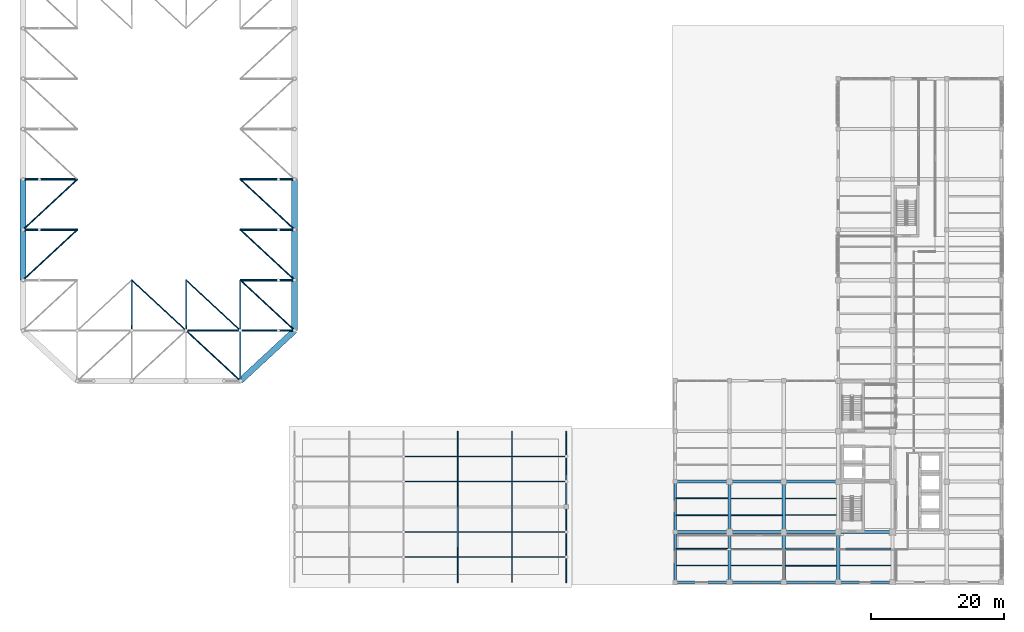
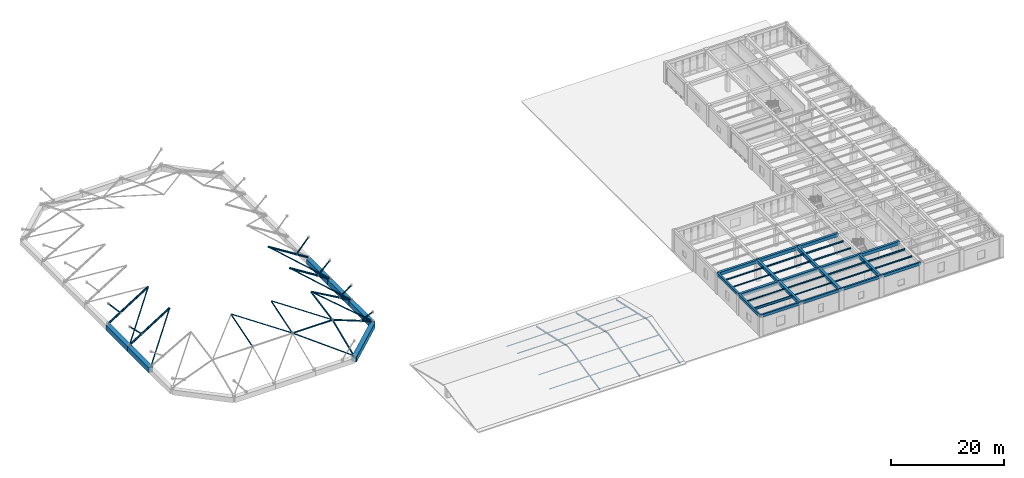
# One storey, part 2 of 23: 38 beams, 35 members.
"""IFC4 building model written with IfcOpenShell, lengths in metres."""

import ifcopenshell
import ifcopenshell.guid

model = None  # the IFC model being written
_history = None  # IfcOwnerHistory: only IFC2X3 demands one
_inside = {}  # id of a spatial element -> (the spatial element, [elements in it])
_under = {}  # id of a project, library or spatial element -> (it, [spatial elements below it])
_declared = {}  # id of a project -> (the project, [libraries it declares])
_typed = {}  # id of a type object -> (the type object, [elements of that type])
_made_of = {}  # id of a material, layer set ... -> (it, [elements and type objects made of it])


def new_model(schema):
    """Start an empty IFC model of exactly this schema.

    Asked for "IFC4X3", IfcOpenShell would pick the latest addendum, in which some entities
    have other attributes; the version numbers below select the first issue.
    IFC2X3 requires an IfcOwnerHistory on every rooted entity: one is made here for all.
    """
    global model, _history
    if schema == "IFC4X3":
        model = ifcopenshell.file(schema_version=(4, 3, 0, 0))
    else:
        model = ifcopenshell.file(schema=schema)
    _inside.clear()
    _under.clear()
    _declared.clear()
    _typed.clear()
    _made_of.clear()
    _history = None
    if model.schema == "IFC2X3":
        org = make("IfcOrganization", Name="unknown")
        user = make(
            "IfcPersonAndOrganization",
            ThePerson=make("IfcPerson", FamilyName="unknown"),
            TheOrganization=org,
        )
        app = make(
            "IfcApplication",
            ApplicationDeveloper=org,
            Version="unknown",
            ApplicationFullName="unknown",
            ApplicationIdentifier="unknown",
        )
        _history = make(
            "IfcOwnerHistory",
            OwningUser=user,
            OwningApplication=app,
            ChangeAction="ADDED",
            CreationDate=0,
        )
    return model


def make(cls, **values):
    """One entity of the class cls with the attributes given. An attribute that is None is left unset."""
    return model.create_entity(
        cls, **{name: value for name, value in values.items() if value is not None}
    )


def rooted(cls, **values):
    """An entity with a GlobalId (a new one), such as an element, a storey or a relation."""
    return make(cls, GlobalId=ifcopenshell.guid.new(), OwnerHistory=_history, **values)


def si_unit(unit_type, name, prefix=None):
    """IfcSIUnit, for example si_unit("LENGTHUNIT", "METRE", prefix="MILLI")."""
    return make("IfcSIUnit", UnitType=unit_type, Prefix=prefix, Name=name)


def assignment(units):
    """IfcUnitAssignment: the units of a project."""
    return None if units is None else make("IfcUnitAssignment", Units=units)


def point(xyz):
    """IfcCartesianPoint."""
    return None if xyz is None else make("IfcCartesianPoint", Coordinates=xyz)


def direction(xyz):
    """IfcDirection."""
    return None if xyz is None else make("IfcDirection", DirectionRatios=xyz)


def frame(location, z_axis=None, x_axis=None):
    """IfcAxis2Placement3D, a coordinate frame: its origin and axes. An axis left out is left unset."""
    return make(
        "IfcAxis2Placement3D",
        Location=point(location),
        Axis=direction(z_axis),
        RefDirection=direction(x_axis),
    )


def frame_2d(location, x_axis=None):
    """IfcAxis2Placement2D, a coordinate frame in the plane: its origin and x axis."""
    return make(
        "IfcAxis2Placement2D", Location=point(location), RefDirection=direction(x_axis)
    )


def origin():
    """The frame at (0, 0, 0) with its axes left unset."""
    return frame((0.0, 0.0, 0.0))


def origin_2d():
    """The frame at (0, 0) in the plane with its x axis left unset."""
    return frame_2d((0.0, 0.0))


def place(relative_to, where):
    """IfcLocalPlacement: puts the frame where relative to a parent placement (None: the world)."""
    return make(
        "IfcLocalPlacement", PlacementRelTo=relative_to, RelativePlacement=where
    )


def context(
    kind, dimensions, precision=None, world=None, true_north=None, identifier=None
):
    """IfcGeometricRepresentationContext, for example the 3D "Model" context."""
    return make(
        "IfcGeometricRepresentationContext",
        ContextIdentifier=identifier,
        ContextType=kind,
        CoordinateSpaceDimension=dimensions,
        Precision=precision,
        WorldCoordinateSystem=world,
        TrueNorth=true_north,
    )


def subcontext(parent, identifier, kind, view, scale=None):
    """IfcGeometricRepresentationSubContext, for example "Body" below "Model"."""
    return make(
        "IfcGeometricRepresentationSubContext",
        ContextIdentifier=identifier,
        ContextType=kind,
        ParentContext=parent,
        TargetScale=scale,
        TargetView=view,
    )


def project(units=None, contexts=None):
    """IfcProject with its units and contexts."""
    return rooted(
        "IfcProject",
        Name="project",
        RepresentationContexts=contexts,
        UnitsInContext=assignment(units),
    )


def spatial(cls, under=None, at=None, **own):
    """A site, building, storey or space (cls), placed at a placement, below another one or the project."""
    s = rooted(cls, ObjectPlacement=at, **own)
    if under is not None:
        _under.setdefault(under.id(), (under, []))[1].append(s)
    return s


def profile(cls, at=None, kind="AREA", **sizes):
    """A parametric profile (cls). Its sizes go by their IFC names, for example OverallWidth=200.0."""
    return make(cls, ProfileType=kind, Position=at, **sizes)


def rectangle(**sizes):
    """IfcRectangleProfileDef."""
    return profile("IfcRectangleProfileDef", **sizes)


def hollow_rectangle(**sizes):
    """IfcRectangleHollowProfileDef."""
    return profile("IfcRectangleHollowProfileDef", **sizes)


def hollow_circle(**sizes):
    """IfcCircleHollowProfileDef."""
    return profile("IfcCircleHollowProfileDef", **sizes)


def i_section(**sizes):
    """IfcIShapeProfileDef."""
    return profile("IfcIShapeProfileDef", **sizes)


def extrude(swept, where, along, depth):
    """IfcExtrudedAreaSolid: the profile swept, set in the frame where, extruded along a direction by depth."""
    return make(
        "IfcExtrudedAreaSolid",
        SweptArea=swept,
        Position=where,
        ExtrudedDirection=direction(along),
        Depth=depth,
    )


def shape(context_of_items, identifier, shape_type, items):
    """IfcShapeRepresentation: the items that make up one representation, for example the "Body"."""
    return make(
        "IfcShapeRepresentation",
        ContextOfItems=context_of_items,
        RepresentationIdentifier=identifier,
        RepresentationType=shape_type,
        Items=items,
    )


def material(Name=None, Category=None):
    """IfcMaterial."""
    return make("IfcMaterial", Name=Name, Category=Category)


def material_profile(
    of_material, cross_section, Name=None, Category=None, Priority=None
):
    """IfcMaterialProfile: a cross section and its material."""
    return make(
        "IfcMaterialProfile",
        Name=Name,
        Material=of_material,
        Profile=cross_section,
        Priority=Priority,
        Category=Category,
    )


def profile_set(profiles, Name=None, composite=None):
    """IfcMaterialProfileSet."""
    return make(
        "IfcMaterialProfileSet",
        Name=Name,
        MaterialProfiles=profiles,
        CompositeProfile=composite,
    )


def made_of(thing, what):
    """Note that an element or type object is made of a material, layer set ...; save() writes the relation."""
    if what is not None:
        _made_of.setdefault(what.id(), (what, []))[1].append(thing)
    return thing


def type_object(cls, material=None, **own):
    """A type object (cls), such as IfcWallType, which elements share."""
    return made_of(rooted(cls, **own), material)


def element(
    cls,
    number,
    at=None,
    inside=None,
    cuts=None,
    type_object=None,
    material=None,
    context=None,
    identifier="Body",
    shape_type=None,
    held_by="IfcProductDefinitionShape",
    body=None,
    shapes=None,
    **own,
):
    """One element of the class cls, such as IfcWall. Its Tag is "e" and its number.

    at: its placement. inside: the storey or other place that contains it. cuts: it is an
    opening in that element (IfcRelVoidsElement). A single representation is given by context,
    identifier, shape_type and body (its items); several are given by shapes. held_by: the class
    of the entity that holds the representations. save() writes the other relations.
    """
    e = rooted(cls, Tag="e%d" % number, ObjectPlacement=at, **own)
    if body is not None:
        shapes = [shape(context, identifier, shape_type, body)]
    if shapes is not None:
        e.Representation = make(held_by, Representations=shapes)
    if inside is not None:
        _inside.setdefault(inside.id(), (inside, []))[1].append(e)
    if cuts is not None:
        rooted(
            "IfcRelVoidsElement", RelatingBuildingElement=cuts, RelatedOpeningElement=e
        )
    if type_object is not None:
        _typed.setdefault(type_object.id(), (type_object, []))[1].append(e)
    return made_of(e, material)


def aggregate(whole, parts):
    """IfcRelAggregates: a whole, such as a stair, and the parts it consists of."""
    return rooted("IfcRelAggregates", RelatingObject=whole, RelatedObjects=parts)


def save(model, path):
    """Write the relations noted so far, then the file.

    IfcRelAggregates (storeys below a building ...), IfcRelContainedInSpatialStructure (elements
    in a storey), IfcRelDefinesByType, IfcRelAssociatesMaterial and IfcRelDeclares: one each for
    every whole, place, type object, material and project.
    """
    for whole, parts in _under.values():
        aggregate(whole, parts)
    for where, things in _inside.values():
        rooted(
            "IfcRelContainedInSpatialStructure",
            RelatedElements=things,
            RelatingStructure=where,
        )
    for kind, things in _typed.values():
        rooted("IfcRelDefinesByType", RelatedObjects=things, RelatingType=kind)
    for what, things in _made_of.values():
        rooted("IfcRelAssociatesMaterial", RelatedObjects=things, RelatingMaterial=what)
    for by, libraries in _declared.values():
        rooted("IfcRelDeclares", RelatingContext=by, RelatedDefinitions=libraries)
    model.write(path)


model = new_model("IFC4")

# Units and contexts
model_context = context("Model", 3, precision=1e-05, world=origin(), true_north=direction((0.0, 1.0)))
body_context = subcontext(model_context, "Body", "Model", "MODEL_VIEW")
ifc_project = project(units=[si_unit("LENGTHUNIT", "METRE"), si_unit("AREAUNIT", "SQUARE_METRE"), si_unit("VOLUMEUNIT", "CUBIC_METRE"), si_unit("PLANEANGLEUNIT", "RADIAN"), si_unit("MASSUNIT", "GRAM", prefix="KILO")], contexts=[model_context])

# Site, building, storey
site_placement = place(None, origin())
site = spatial("IfcSite", under=ifc_project, at=site_placement, CompositionType="ELEMENT")
building_placement = place(site_placement, origin())
building = spatial("IfcBuilding", under=site, at=building_placement, Name="Qandaris Square Conservatory and Botanical Centre", CompositionType="ELEMENT")
storey_placement = place(building_placement, frame((0.0, 0.0, 15.0)))
storey = spatial("IfcBuildingStorey", under=building, at=storey_placement, Name="L03", CompositionType="ELEMENT", Elevation=15.0)

# Members
ifc_material_1 = material(Name="Steel S355", Category="steel")
ifc_material_profile_1 = material_profile(ifc_material_1, i_section(OverallWidth=0.14990234375, OverallDepth=0.300048828125, WebThickness=0.007080078125, FlangeThickness=0.0107421875, FilletRadius=0.014892578125, at=origin_2d()), Name="IPE 300")
ifc_profile_set_1 = profile_set([ifc_material_profile_1], Name="Steel S355")
member_type_1 = type_object("IfcMemberType", Name="Auditorium Eave Prairie Rafter IPE 300", PredefinedType="RAFTER", material=ifc_profile_set_1)
for number, where, z_axis, x_axis, name in (
    (1, (81.800048828125, 16.60009765625, -0.2548828125), (0.0, 0.976700090334, 0.214608791854), (-1.0, 0.0, 0.0), "Auditorium South Rafter 007"),
    (2, (81.800048828125, 39.39990234375, -0.2548828125), (0.0, -0.976700090334, 0.214608791854), (1.0, 0.0, 0.0), "Auditorium North Rafter 008"),
    (3, (98.199951171875, 16.60009765625, -0.2548828125), (0.0, 0.976700090334, 0.214608791854), (-1.0, 0.0, 0.0), "Auditorium South Rafter 011"),
    (4, (98.199951171875, 39.39990234375, -0.2548828125), (0.0, -0.976700090334, 0.214608791854), (1.0, 0.0, 0.0), "Auditorium North Rafter 012"),
):
    element("IfcMember", number, at=place(storey_placement, frame(where, z_axis=z_axis, x_axis=x_axis)), inside=storey, type_object=member_type_1, Name=name, PredefinedType="RAFTER", context=body_context, shape_type="SweptSolid", body=[
        extrude(i_section(OverallWidth=0.14990234375, OverallDepth=0.300048828125, WebThickness=0.007080078125, FlangeThickness=0.0107421875, FilletRadius=0.014892578125, at=origin_2d()), origin(), (0.0, 0.0, 1.0), 11.671875),
    ])
ifc_material_profile_2 = material_profile(ifc_material_1, i_section(OverallWidth=0.159912109375, OverallDepth=0.330078125, WebThickness=0.007568359375, FlangeThickness=0.011474609375, FilletRadius=0.01806640625, at=origin_2d()), Name="IPE 330")
ifc_profile_set_2 = profile_set([ifc_material_profile_2], Name="Steel S355")
member_type_2 = type_object("IfcMemberType", Name="Auditorium Hip Prairie Rafter IPE 330", PredefinedType="RAFTER", material=ifc_profile_set_2)
for number, where, z_axis, x_axis, name in (
    (5, (90.0, 16.60009765625, -0.2548828125), (0.0, 0.976700090334, 0.214608791854), (-1.0, 0.0, 0.0), "Auditorium South Rafter 009"),
    (6, (90.0, 39.39990234375, -0.2548828125), (0.0, -0.976700090334, 0.214608791854), (1.0, 0.0, 0.0), "Auditorium North Rafter 010"),
):
    element("IfcMember", number, at=place(storey_placement, frame(where, z_axis=z_axis, x_axis=x_axis)), inside=storey, type_object=member_type_2, Name=name, PredefinedType="RAFTER", context=body_context, shape_type="SweptSolid", body=[
        extrude(i_section(OverallWidth=0.159912109375, OverallDepth=0.330078125, WebThickness=0.007568359375, FlangeThickness=0.011474609375, FilletRadius=0.01806640625, at=origin_2d()), origin(), (0.0, 0.0, 1.0), 11.671875),
    ])

# Beams
ifc_material_profile_3 = material_profile(ifc_material_1, i_section(OverallWidth=0.14990234375, OverallDepth=0.300048828125, WebThickness=0.007080078125, FlangeThickness=0.0107421875, FilletRadius=0.014892578125, at=origin_2d()), Name="IPE 300")
ifc_profile_set_3 = profile_set([ifc_material_profile_3], Name="Steel S355")
beam_type_1 = type_object("IfcBeamType", Name="Composite Lab Joist IPE 300", PredefinedType="JOIST", material=ifc_profile_set_3)
beam_1_placement = place(storey_placement, frame((114.77490234375, 29.2666015625, 4.320068359375), z_axis=(1.0, 0.0, 0.0), x_axis=(0.0, 1.0, 0.0)))
element("IfcBeam", 7, at=beam_1_placement, inside=storey, type_object=beam_type_1, Name="L03 Composite Joist 1636", PredefinedType="JOIST", context=body_context, shape_type="SweptSolid", body=[
    extrude(i_section(OverallWidth=0.14990234375, OverallDepth=0.300048828125, WebThickness=0.007080078125, FlangeThickness=0.0107421875, FilletRadius=0.014892578125, at=origin_2d()), origin(), (0.0, 0.0, 1.0), 7.775146484375),
])
for number, where, z_axis, x_axis, name in (
    (8, (123.050048828125, 21.666748046875, 4.320068359375), (1.0, 0.0, 0.0), (0.0, 1.0, 0.0), "L03 Composite Joist 1640"),
    (9, (123.050048828125, 26.7333984375, 4.320068359375), (1.0, 0.0, 0.0), (0.0, 1.0, 0.0), "L03 Composite Joist 1641"),
    (10, (131.25, 19.13330078125, 4.320068359375), (1.0, 0.0, 0.0), (0.0, 1.0, 0.0), "L03 Composite Joist 1645"),
):
    element("IfcBeam", number, at=place(storey_placement, frame(where, z_axis=z_axis, x_axis=x_axis)), inside=storey, type_object=beam_type_1, Name=name, PredefinedType="JOIST", context=body_context, shape_type="SweptSolid", body=[
        extrude(i_section(OverallWidth=0.14990234375, OverallDepth=0.300048828125, WebThickness=0.007080078125, FlangeThickness=0.0107421875, FilletRadius=0.014892578125, at=origin_2d()), origin(), (0.0, 0.0, 1.0), 7.699951171875),
    ])
ifc_material_profile_4 = material_profile(ifc_material_1, i_section(OverallWidth=0.159912109375, OverallDepth=0.330078125, WebThickness=0.007568359375, FlangeThickness=0.011474609375, FilletRadius=0.01806640625, at=origin_2d()), Name="IPE 330")
ifc_profile_set_4 = profile_set([ifc_material_profile_4], Name="Steel S355")
beam_type_2 = type_object("IfcBeamType", Name="Composite Lab Joist IPE 330", PredefinedType="JOIST", material=ifc_profile_set_4)
for number, where, z_axis, x_axis, name in (
    (11, (123.050048828125, 29.2666015625, 4.304931640625), (1.0, 0.0, 0.0), (0.0, 1.0, 0.0), "L03 Composite Joist 1642"),
    (12, (131.25, 21.666748046875, 4.304931640625), (1.0, 0.0, 0.0), (0.0, 1.0, 0.0), "L03 Composite Joist 1646"),
    (13, (131.25, 26.7333984375, 4.304931640625), (1.0, 0.0, 0.0), (0.0, 1.0, 0.0), "L03 Composite Joist 1647"),
    (14, (139.449951171875, 19.13330078125, 4.304931640625), (1.0, 0.0, 0.0), (0.0, 1.0, 0.0), "L03 Composite Joist 1651"),
):
    element("IfcBeam", number, at=place(storey_placement, frame(where, z_axis=z_axis, x_axis=x_axis)), inside=storey, type_object=beam_type_2, Name=name, PredefinedType="JOIST", context=body_context, shape_type="SweptSolid", body=[
        extrude(i_section(OverallWidth=0.159912109375, OverallDepth=0.330078125, WebThickness=0.007568359375, FlangeThickness=0.011474609375, FilletRadius=0.01806640625, at=origin_2d()), origin(), (0.0, 0.0, 1.0), 7.699951171875),
    ])
ifc_material_profile_5 = material_profile(ifc_material_1, i_section(OverallWidth=0.169921875, OverallDepth=0.360107421875, WebThickness=0.008056640625, FlangeThickness=0.0126953125, FilletRadius=0.01806640625, at=origin_2d()), Name="IPE 360")
ifc_profile_set_5 = profile_set([ifc_material_profile_5], Name="Steel S355")
beam_type_3 = type_object("IfcBeamType", Name="Composite Lab Joist IPE 360", PredefinedType="JOIST", material=ifc_profile_set_5)
for number, where, z_axis, x_axis, name in (
    (15, (131.25, 29.2666015625, 4.2900390625), (1.0, 0.0, 0.0), (0.0, 1.0, 0.0), "L03 Composite Joist 1648"),
    (16, (139.449951171875, 21.666748046875, 4.2900390625), (1.0, 0.0, 0.0), (0.0, 1.0, 0.0), "L03 Composite Joist 1652"),
):
    element("IfcBeam", number, at=place(storey_placement, frame(where, z_axis=z_axis, x_axis=x_axis)), inside=storey, type_object=beam_type_3, Name=name, PredefinedType="JOIST", context=body_context, shape_type="SweptSolid", body=[
        extrude(i_section(OverallWidth=0.169921875, OverallDepth=0.360107421875, WebThickness=0.008056640625, FlangeThickness=0.0126953125, FilletRadius=0.01806640625, at=origin_2d()), origin(), (0.0, 0.0, 1.0), 7.699951171875),
    ])
ifc_material_2 = material(Name="Concrete C50/60", Category="concrete")
ifc_material_profile_6 = material_profile(ifc_material_2, rectangle(XDim=0.89990234375, YDim=1.10009765625, at=origin_2d()), Name="RC-RB 900x1100")
ifc_profile_set_6 = profile_set([ifc_material_profile_6], Name="Concrete C50/60")
beam_type_4 = type_object("IfcBeamType", Name="Conservatory Ring Beam RB1 900x1100", PredefinedType="BEAM", material=ifc_profile_set_6)
beam_2_placement = place(storey_placement, frame((49.0, 47.0, -0.550048828125), z_axis=(0.733423923811, 0.67977154102, 0.0), x_axis=(-0.67977154102, 0.733423923811, 0.0)))
element("IfcBeam", 17, at=beam_2_placement, inside=storey, type_object=beam_type_4, Name="Conservatory Ring Beam RB1-2.1", PredefinedType="BEAM", context=body_context, shape_type="SweptSolid", body=[
    extrude(rectangle(XDim=0.89990234375, YDim=1.10009765625, at=origin_2d()), origin(), (0.0, 0.0, 1.0), 11.180419921875),
])
beam_3_placement = place(storey_placement, frame((57.199951171875, 54.60009765625, -0.550048828125), z_axis=(0.0, 1.0, 0.0), x_axis=(-1.0, 0.0, 0.0)))
element("IfcBeam", 18, at=beam_3_placement, inside=storey, type_object=beam_type_4, Name="Conservatory Ring Beam RB1-3.1", PredefinedType="BEAM", context=body_context, shape_type="SweptSolid", body=[
    extrude(rectangle(XDim=0.89990234375, YDim=1.10009765625, at=origin_2d()), origin(), (0.0, 0.0, 1.0), 7.599853515625),
])
beam_4_placement = place(storey_placement, frame((57.199951171875, 62.199951171875, -0.550048828125), z_axis=(0.0, 1.0, 0.0), x_axis=(-1.0, 0.0, 0.0)))
element("IfcBeam", 19, at=beam_4_placement, inside=storey, type_object=beam_type_4, Name="Conservatory Ring Beam RB1-3.2", PredefinedType="BEAM", context=body_context, shape_type="SweptSolid", body=[
    extrude(rectangle(XDim=0.89990234375, YDim=1.10009765625, at=origin_2d()), origin(), (0.0, 0.0, 1.0), 7.60009765625),
])
for number, where, z_axis, x_axis, name in (
    (20, (57.199951171875, 69.800048828125, -0.550048828125), (0.0, 1.0, 0.0), (-1.0, 0.0, 0.0), "Conservatory Ring Beam RB1-3.3"),
    (21, (16.199951171875, 77.39990234375, -0.550048828125), (0.0, -1.0, 0.0), (1.0, 0.0, 0.0), "Conservatory Ring Beam RB1-7.5"),
):
    element("IfcBeam", number, at=place(storey_placement, frame(where, z_axis=z_axis, x_axis=x_axis)), inside=storey, type_object=beam_type_4, Name=name, PredefinedType="BEAM", context=body_context, shape_type="SweptSolid", body=[
        extrude(rectangle(XDim=0.89990234375, YDim=1.10009765625, at=origin_2d()), origin(), (0.0, 0.0, 1.0), 7.599853515625),
    ])
beam_5_placement = place(storey_placement, frame((16.199951171875, 69.800048828125, -0.550048828125), z_axis=(0.0, -1.0, 0.0), x_axis=(1.0, 0.0, 0.0)))
element("IfcBeam", 22, at=beam_5_placement, inside=storey, type_object=beam_type_4, Name="Conservatory Ring Beam RB1-7.6", PredefinedType="BEAM", context=body_context, shape_type="SweptSolid", body=[
    extrude(rectangle(XDim=0.89990234375, YDim=1.10009765625, at=origin_2d()), origin(), (0.0, 0.0, 1.0), 7.60009765625),
])

# Members
ifc_material_profile_7 = material_profile(ifc_material_1, hollow_circle(Radius=0.136474609375, WallThickness=0.010009765625, at=origin_2d()), Name="CHS 273.0x10.0")
ifc_profile_set_7 = profile_set([ifc_material_profile_7], Name="Steel S355")
member_type_3 = type_object("IfcMemberType", Name="Gridshell Crown Ring Chord CHS 273.0x10.0", PredefinedType="CHORD", material=ifc_profile_set_7)
member_1_placement = place(storey_placement, frame((18.659912109375, 69.800048828125, 1.7255859375), z_axis=(-0.710624309805, 0.0, 0.703571666794), x_axis=(0.0, -1.0, 0.0)))
element("IfcMember", 23, at=member_1_placement, inside=storey, type_object=member_type_3, Name="Dome Glazing V-Strut 0.3", PredefinedType="CHORD", context=body_context, shape_type="SweptSolid", body=[
    extrude(hollow_circle(Radius=0.136474609375, WallThickness=0.010009765625, at=origin_2d()), origin(), (0.0, 0.0, 1.0), 3.461669921875),
])
member_2_placement = place(storey_placement, frame((18.659912109375, 77.39990234375, 1.7255859375), z_axis=(-0.656610988508, 0.0, 0.754229414549), x_axis=(0.0, -1.0, 0.0)))
element("IfcMember", 24, at=member_2_placement, inside=storey, type_object=member_type_3, Name="Dome Glazing V-Strut 0.4", PredefinedType="CHORD", context=body_context, shape_type="SweptSolid", body=[
    extrude(hollow_circle(Radius=0.136474609375, WallThickness=0.010009765625, at=origin_2d()), origin(), (0.0, 0.0, 1.0), 3.746337890625),
])
member_3_placement = place(storey_placement, frame((54.739990234375, 54.60009765625, 1.134033203125), z_axis=(0.91613229224, 0.0, 0.40087606952), x_axis=(0.0, 1.0, 0.0)))
element("IfcMember", 25, at=member_3_placement, inside=storey, type_object=member_type_3, Name="Dome Glazing V-Strut 5.1", PredefinedType="CHORD", context=body_context, shape_type="SweptSolid", body=[
    extrude(hollow_circle(Radius=0.136474609375, WallThickness=0.010009765625, at=origin_2d()), origin(), (0.0, 0.0, 1.0), 2.68505859375),
])
member_4_placement = place(storey_placement, frame((54.739990234375, 62.199951171875, 1.57470703125), z_axis=(0.806064059435, 0.0, 0.591828296119), x_axis=(0.0, 1.0, 0.0)))
element("IfcMember", 26, at=member_4_placement, inside=storey, type_object=member_type_3, Name="Dome Glazing V-Strut 5.2", PredefinedType="CHORD", context=body_context, shape_type="SweptSolid", body=[
    extrude(hollow_circle(Radius=0.136474609375, WallThickness=0.010009765625, at=origin_2d()), origin(), (0.0, 0.0, 1.0), 3.0517578125),
])
member_5_placement = place(storey_placement, frame((54.739990234375, 69.800048828125, 1.7255859375), z_axis=(0.710624309805, 0.0, 0.703571666794), x_axis=(0.0, 1.0, 0.0)))
element("IfcMember", 27, at=member_5_placement, inside=storey, type_object=member_type_3, Name="Dome Glazing V-Strut 5.3", PredefinedType="CHORD", context=body_context, shape_type="SweptSolid", body=[
    extrude(hollow_circle(Radius=0.136474609375, WallThickness=0.010009765625, at=origin_2d()), origin(), (0.0, 0.0, 1.0), 3.461669921875),
])
member_6_placement = place(storey_placement, frame((54.739990234375, 77.39990234375, 1.7255859375), z_axis=(0.656610988508, 0.0, 0.754229414549), x_axis=(0.0, 1.0, 0.0)))
element("IfcMember", 28, at=member_6_placement, inside=storey, type_object=member_type_3, Name="Dome Glazing V-Strut 5.4", PredefinedType="CHORD", context=body_context, shape_type="SweptSolid", body=[
    extrude(hollow_circle(Radius=0.136474609375, WallThickness=0.010009765625, at=origin_2d()), origin(), (0.0, 0.0, 1.0), 3.746337890625),
])
ifc_material_profile_8 = material_profile(ifc_material_1, hollow_circle(Radius=0.161865234375, WallThickness=0.012451171875, at=origin_2d()), Name="CHS 323.9x12.5")
ifc_profile_set_8 = profile_set([ifc_material_profile_8], Name="Steel S355")
member_type_4 = type_object("IfcMemberType", Name="Gridshell Edge Arch Chord CHS 323.9x12.5", PredefinedType="CHORD", material=ifc_profile_set_8)
member_7_placement = place(storey_placement, frame((40.800048828125, 54.60009765625, 3.360107421875), z_axis=(1.0, 0.0, 0.0), x_axis=(0.0, 1.0, 0.0)))
element("IfcMember", 29, at=member_7_placement, inside=storey, type_object=member_type_4, Name="Conservatory Roof Truss Chord 025", PredefinedType="CHORD", context=body_context, shape_type="SweptSolid", body=[
    extrude(hollow_circle(Radius=0.161865234375, WallThickness=0.012451171875, at=origin_2d()), origin(), (0.0, 0.0, 1.0), 8.199951171875),
])
member_8_placement = place(storey_placement, frame((49.0, 54.60009765625, 3.360107421875), z_axis=(0.932338201429, 0.0, -0.361587441922), x_axis=(0.0, 1.0, 0.0)))
element("IfcMember", 30, at=member_8_placement, inside=storey, type_object=member_type_4, Name="Conservatory Roof Truss Chord 033", PredefinedType="CHORD", context=body_context, shape_type="SweptSolid", body=[
    extrude(hollow_circle(Radius=0.161865234375, WallThickness=0.012451171875, at=origin_2d()), origin(), (0.0, 0.0, 1.0), 8.794921875),
])
ifc_material_profile_9 = material_profile(ifc_material_1, hollow_rectangle(XDim=0.14990234375, YDim=0.25, WallThickness=0.008056640625, at=origin_2d()), Name="RHS 250x150x8.0")
ifc_profile_set_9 = profile_set([ifc_material_profile_9], Name="Steel S355")
member_type_5 = type_object("IfcMemberType", Name="Gridshell Longitudinal Purlin RHS 250x150x8.0", PredefinedType="PURLIN", material=ifc_profile_set_9)
for number, where, z_axis, x_axis, name in (
    (31, (32.60009765625, 54.60009765625, 3.2802734375), (0.0, 0.954119877842, 0.299424879907), (-1.0, 0.0, 0.0), "Conservatory Roof Purlin 011"),
    (32, (40.800048828125, 54.60009765625, 3.2802734375), (0.0, 0.954119877842, 0.299424879907), (-1.0, 0.0, 0.0), "Conservatory Roof Purlin 020"),
):
    element("IfcMember", number, at=place(storey_placement, frame(where, z_axis=z_axis, x_axis=x_axis)), inside=storey, type_object=member_type_5, Name=name, PredefinedType="PURLIN", context=body_context, shape_type="SweptSolid", body=[
        extrude(hollow_rectangle(XDim=0.14990234375, YDim=0.25, WallThickness=0.008056640625, at=origin_2d()), origin(), (0.0, 0.0, 1.0), 7.96533203125),
    ])
ifc_material_profile_10 = material_profile(ifc_material_1, hollow_circle(Radius=0.122314453125, WallThickness=0.010009765625, at=origin_2d()), Name="CHS 244.5x10.0")
ifc_profile_set_10 = profile_set([ifc_material_profile_10], Name="Steel S355")
member_type_6 = type_object("IfcMemberType", Name="Gridshell Lower Diagrid Brace CHS 244.5x10.0", PredefinedType="BRACE", material=ifc_profile_set_10)
for number, where, z_axis, x_axis, name in (
    (33, (16.199951171875, 62.199951171875, 0.179931640625), (0.666101983384, 0.617374422924, 0.418517585832), (-0.67977154102, 0.733423923811, 0.0), "Conservatory Diagrid Brace 002"),
    (34, (16.199951171875, 69.800048828125, 0.179931640625), (0.666110139058, 0.617362149604, 0.418522710113), (-0.67975979465, 0.733434810721, 0.0), "Conservatory Diagrid Brace 003"),
):
    element("IfcMember", number, at=place(storey_placement, frame(where, z_axis=z_axis, x_axis=x_axis)), inside=storey, type_object=member_type_6, Name=name, PredefinedType="BRACE", context=body_context, shape_type="SweptSolid", body=[
        extrude(hollow_circle(Radius=0.122314453125, WallThickness=0.010009765625, at=origin_2d()), origin(), (0.0, 0.0, 1.0), 12.310302734375),
    ])
member_9_placement = place(storey_placement, frame((40.800048828125, 54.60009765625, 3.360107421875), z_axis=(0.705441112938, -0.6538357652, -0.273590256264), x_axis=(0.67977154102, 0.733423923811, 0.0)))
element("IfcMember", 35, at=member_9_placement, inside=storey, type_object=member_type_6, Name="Conservatory Diagrid Brace 026", PredefinedType="BRACE", context=body_context, shape_type="SweptSolid", body=[
    extrude(hollow_circle(Radius=0.122314453125, WallThickness=0.010009765625, at=origin_2d()), origin(), (0.0, 0.0, 1.0), 11.623779296875),
])
member_10_placement = place(storey_placement, frame((49.0, 62.199951171875, 4.828857421875), z_axis=(0.67722071552, -0.627659619895, -0.383947267244), x_axis=(0.67975979465, 0.733434810721, 0.0)))
element("IfcMember", 36, at=member_10_placement, inside=storey, type_object=member_type_6, Name="Conservatory Diagrid Brace 035", PredefinedType="BRACE", context=body_context, shape_type="SweptSolid", body=[
    extrude(hollow_circle(Radius=0.122314453125, WallThickness=0.010009765625, at=origin_2d()), origin(), (0.0, 0.0, 1.0), 12.108154296875),
])
for number, where, z_axis, x_axis, name in (
    (37, (49.0, 69.800048828125, 5.33203125), (0.666101983384, -0.617374422924, -0.418517585832), (0.67977154102, 0.733423923811, 0.0), "Conservatory Diagrid Brace 036"),
    (38, (49.0, 77.39990234375, 5.33203125), (0.666110139058, -0.617362149604, -0.418522710113), (0.67975979465, 0.733434810721, 0.0), "Conservatory Diagrid Brace 037"),
):
    element("IfcMember", number, at=place(storey_placement, frame(where, z_axis=z_axis, x_axis=x_axis)), inside=storey, type_object=member_type_6, Name=name, PredefinedType="BRACE", context=body_context, shape_type="SweptSolid", body=[
        extrude(hollow_circle(Radius=0.122314453125, WallThickness=0.010009765625, at=origin_2d()), origin(), (0.0, 0.0, 1.0), 12.310302734375),
    ])
ifc_material_profile_11 = material_profile(ifc_material_1, hollow_rectangle(XDim=0.199951171875, YDim=0.300048828125, WallThickness=0.010009765625, at=origin_2d()), Name="RHS 300x200x10.0")
ifc_profile_set_11 = profile_set([ifc_material_profile_11], Name="Steel S355")
member_type_7 = type_object("IfcMemberType", Name="Gridshell Main Ring Purlin RHS 300x200x10.0", PredefinedType="PURLIN", material=ifc_profile_set_11)
member_11_placement = place(storey_placement, frame((49.0, 47.0, 0.10009765625), z_axis=(0.0, 0.92249547339, 0.386007903514), x_axis=(-1.0, 0.0, 0.0)))
element("IfcMember", 39, at=member_11_placement, inside=storey, type_object=member_type_7, Name="Conservatory Roof Purlin 028", PredefinedType="PURLIN", context=body_context, shape_type="SweptSolid", body=[
    extrude(hollow_rectangle(XDim=0.199951171875, YDim=0.300048828125, WallThickness=0.010009765625, at=origin_2d()), origin(), (0.0, 0.0, 1.0), 8.238525390625),
])
member_12_placement = place(storey_placement, frame((49.0, 54.60009765625, 3.2802734375), z_axis=(0.0, 0.981838456715, 0.189718857565), x_axis=(-1.0, 0.0, 0.0)))
element("IfcMember", 40, at=member_12_placement, inside=storey, type_object=member_type_7, Name="Conservatory Roof Purlin 029", PredefinedType="PURLIN", context=body_context, shape_type="SweptSolid", body=[
    extrude(hollow_rectangle(XDim=0.199951171875, YDim=0.300048828125, WallThickness=0.010009765625, at=origin_2d()), origin(), (0.0, 0.0, 1.0), 7.740478515625),
])
ifc_material_profile_12 = material_profile(ifc_material_1, hollow_circle(Radius=0.109619140625, WallThickness=0.008056640625, at=origin_2d()), Name="CHS 219.1x8.0")
ifc_profile_set_12 = profile_set([ifc_material_profile_12], Name="Steel S355")
member_type_8 = type_object("IfcMemberType", Name="Gridshell Mid Diagrid Brace CHS 219.1x8.0", PredefinedType="BRACE", material=ifc_profile_set_12)
for number, where, z_axis, x_axis, name in (
    (41, (32.60009765625, 62.199951171875, 5.745361328125), (0.717292110765, -0.664798467145, -0.208650487456), (0.67975979465, 0.733434810721, 0.0), "Conservatory Diagrid Brace 018"),
    (42, (40.800048828125, 62.199951171875, 5.745361328125), (0.717292110765, -0.664798467145, -0.208650487456), (0.67975979465, 0.733434810721, 0.0), "Conservatory Diagrid Brace 027"),
):
    element("IfcMember", number, at=place(storey_placement, frame(where, z_axis=z_axis, x_axis=x_axis)), inside=storey, type_object=member_type_8, Name=name, PredefinedType="BRACE", context=body_context, shape_type="SweptSolid", body=[
        extrude(hollow_circle(Radius=0.109619140625, WallThickness=0.008056640625, at=origin_2d()), origin(), (0.0, 0.0, 1.0), 11.431884765625),
    ])
ifc_material_profile_13 = material_profile(ifc_material_1, hollow_circle(Radius=0.203125, WallThickness=0.01416015625, at=origin_2d()), Name="CHS 406.4x14.2")
ifc_profile_set_13 = profile_set([ifc_material_profile_13], Name="Steel S355")
member_type_9 = type_object("IfcMemberType", Name="Gridshell Primary Arch Chord CHS 406.4x14.2", PredefinedType="CHORD", material=ifc_profile_set_13)
for number, where, z_axis, x_axis, name in (
    (43, (16.199951171875, 69.800048828125, 0.179931640625), (0.846736814642, 0.0, 0.532011998672), (0.0, 1.0, 0.0), "Conservatory Roof Truss Chord 003"),
    (44, (16.199951171875, 77.39990234375, 0.179931640625), (0.846736814642, 0.0, 0.532011998672), (0.0, 1.0, 0.0), "Conservatory Roof Truss Chord 004"),
    (45, (49.0, 69.800048828125, 5.33203125), (0.846736814642, 0.0, -0.532011998672), (0.0, 1.0, 0.0), "Conservatory Roof Truss Chord 035"),
    (46, (49.0, 77.39990234375, 5.33203125), (0.846736814642, 0.0, -0.532011998672), (0.0, 1.0, 0.0), "Conservatory Roof Truss Chord 036"),
):
    element("IfcMember", number, at=place(storey_placement, frame(where, z_axis=z_axis, x_axis=x_axis)), inside=storey, type_object=member_type_9, Name=name, PredefinedType="CHORD", context=body_context, shape_type="SweptSolid", body=[
        extrude(hollow_circle(Radius=0.203125, WallThickness=0.01416015625, at=origin_2d()), origin(), (0.0, 0.0, 1.0), 9.68408203125),
    ])
ifc_material_profile_14 = material_profile(ifc_material_1, hollow_circle(Radius=0.177734375, WallThickness=0.012451171875, at=origin_2d()), Name="CHS 355.6x12.5")
ifc_profile_set_14 = profile_set([ifc_material_profile_14], Name="Steel S355")
member_type_10 = type_object("IfcMemberType", Name="Gridshell Secondary Arch Chord CHS 355.6x12.5", PredefinedType="CHORD", material=ifc_profile_set_14)
member_13_placement = place(storey_placement, frame((49.0, 62.199951171875, 4.828857421875), z_axis=(0.869918107255, 0.0, -0.493196194907), x_axis=(0.0, 1.0, 0.0)))
element("IfcMember", 47, at=member_13_placement, inside=storey, type_object=member_type_10, Name="Conservatory Roof Truss Chord 034", PredefinedType="CHORD", context=body_context, shape_type="SweptSolid", body=[
    extrude(hollow_circle(Radius=0.177734375, WallThickness=0.012451171875, at=origin_2d()), origin(), (0.0, 0.0, 1.0), 9.426025390625),
])

# Beam
ifc_material_profile_15 = material_profile(ifc_material_1, i_section(OverallWidth=0.2099609375, OverallDepth=0.550048828125, WebThickness=0.010986328125, FlangeThickness=0.01708984375, FilletRadius=0.02392578125, at=origin_2d()), Name="IPE 550")
ifc_profile_set_15 = profile_set([ifc_material_profile_15], Name="Steel S355")
beam_type_5 = type_object("IfcBeamType", Name="Long-Span Foyer Joist IPE 550", PredefinedType="JOIST", material=ifc_profile_set_15)
beam_6_placement = place(storey_placement, frame((114.77490234375, 19.13330078125, 4.195068359375), z_axis=(1.0, 0.0, 0.0), x_axis=(0.0, 1.0, 0.0)))
element("IfcBeam", 48, at=beam_6_placement, inside=storey, type_object=beam_type_5, Name="L03 Composite Joist 1633", PredefinedType="JOIST", context=body_context, shape_type="SweptSolid", body=[
    extrude(i_section(OverallWidth=0.2099609375, OverallDepth=0.550048828125, WebThickness=0.010986328125, FlangeThickness=0.01708984375, FilletRadius=0.02392578125, at=origin_2d()), origin(), (0.0, 0.0, 1.0), 7.775146484375),
])

# Members
ifc_material_profile_16 = material_profile(ifc_material_1, hollow_rectangle(XDim=0.10009765625, YDim=0.179931640625, WallThickness=0.00634765625, at=origin_2d()), Name="RHS 180x100x6.3")
ifc_profile_set_16 = profile_set([ifc_material_profile_16], Name="Steel S355")
member_type_11 = type_object("IfcMemberType", Name="Pavilion Roof Purlin RHS 180x100x6.3", PredefinedType="PURLIN", material=ifc_profile_set_16)
for number, where, z_axis, x_axis, name in (
    (49, (73.60009765625, 20.39990234375, 0.50341796875), (1.0, 0.0, 0.0), (0.0, 1.0, 0.0), "Auditorium Roof Purlin 1.2"),
    (50, (73.60009765625, 24.199951171875, 1.28662109375), (1.0, 0.0, 0.0), (0.0, 1.0, 0.0), "Auditorium Roof Purlin 2.2"),
    (51, (73.60009765625, 31.800048828125, 1.28662109375), (1.0, 0.0, 0.0), (0.0, 1.0, 0.0), "Auditorium Roof Purlin 3.2"),
    (52, (73.60009765625, 35.60009765625, 0.50341796875), (1.0, 0.0, 0.0), (0.0, 1.0, 0.0), "Auditorium Roof Purlin 4.2"),
):
    element("IfcMember", number, at=place(storey_placement, frame(where, z_axis=z_axis, x_axis=x_axis)), inside=storey, type_object=member_type_11, Name=name, PredefinedType="PURLIN", context=body_context, shape_type="SweptSolid", body=[
        extrude(hollow_rectangle(XDim=0.10009765625, YDim=0.179931640625, WallThickness=0.00634765625, at=origin_2d()), origin(), (0.0, 0.0, 1.0), 24.599853515625),
    ])

# Beams
ifc_material_profile_17 = material_profile(ifc_material_2, rectangle(XDim=0.35009765625, YDim=0.60009765625, at=origin_2d()), Name="RC-SP 350x600")
ifc_profile_set_17 = profile_set([ifc_material_profile_17], Name="Concrete C50/60")
beam_type_6 = type_object("IfcBeamType", Name="RC Edge Spandrel Beam 350x600", PredefinedType="SPANDREL", material=ifc_profile_set_17)
for number, where, z_axis, x_axis, name in (
    (53, (114.60009765625, 16.60009765625, 4.2451171875), (1.0, 0.0, 0.0), (0.0, 1.0, 0.0), "L03 Frame Beam 1535"),
    (54, (122.800048828125, 16.60009765625, 4.2451171875), (1.0, 0.0, 0.0), (0.0, 1.0, 0.0), "L03 Frame Beam 1536"),
    (55, (131.0, 16.60009765625, 4.2451171875), (1.0, 0.0, 0.0), (0.0, 1.0, 0.0), "L03 Frame Beam 1537"),
    (56, (139.199951171875, 16.60009765625, 4.2451171875), (1.0, 0.0, 0.0), (0.0, 1.0, 0.0), "L03 Frame Beam 1538"),
):
    element("IfcBeam", number, at=place(storey_placement, frame(where, z_axis=z_axis, x_axis=x_axis)), inside=storey, type_object=beam_type_6, Name=name, PredefinedType="SPANDREL", context=body_context, shape_type="SweptSolid", body=[
        extrude(rectangle(XDim=0.35009765625, YDim=0.60009765625, at=origin_2d()), origin(), (0.0, 0.0, 1.0), 8.199951171875),
    ])
beam_7_placement = place(storey_placement, frame((114.60009765625, 16.60009765625, 4.2451171875), z_axis=(0.0, 1.0, 0.0), x_axis=(-1.0, 0.0, 0.0)))
element("IfcBeam", 57, at=beam_7_placement, inside=storey, type_object=beam_type_6, Name="L03 Frame Beam 1581", PredefinedType="SPANDREL", context=body_context, shape_type="SweptSolid", body=[
    extrude(rectangle(XDim=0.35009765625, YDim=0.60009765625, at=origin_2d()), origin(), (0.0, 0.0, 1.0), 7.599853515625),
])
beam_8_placement = place(storey_placement, frame((114.60009765625, 24.199951171875, 4.2451171875), z_axis=(0.0, 1.0, 0.0), x_axis=(-1.0, 0.0, 0.0)))
element("IfcBeam", 58, at=beam_8_placement, inside=storey, type_object=beam_type_6, Name="L03 Frame Beam 1582", PredefinedType="SPANDREL", context=body_context, shape_type="SweptSolid", body=[
    extrude(rectangle(XDim=0.35009765625, YDim=0.60009765625, at=origin_2d()), origin(), (0.0, 0.0, 1.0), 7.60009765625),
])
ifc_material_profile_18 = material_profile(ifc_material_2, rectangle(XDim=0.5, YDim=0.699951171875, at=origin_2d()), Name="RC-BM 500x700")
ifc_profile_set_18 = profile_set([ifc_material_profile_18], Name="Concrete C50/60")
beam_type_7 = type_object("IfcBeamType", Name="RC Floor Girder 500x700", PredefinedType="BEAM", material=ifc_profile_set_18)
for number, where, z_axis, x_axis, name in (
    (59, (114.60009765625, 24.199951171875, 4.1298828125), (1.0, 0.0, 0.0), (0.0, 1.0, 0.0), "L03 Frame Beam 1541"),
    (60, (122.800048828125, 24.199951171875, 4.1298828125), (1.0, 0.0, 0.0), (0.0, 1.0, 0.0), "L03 Frame Beam 1542"),
    (61, (131.0, 24.199951171875, 4.1298828125), (1.0, 0.0, 0.0), (0.0, 1.0, 0.0), "L03 Frame Beam 1543"),
    (62, (139.199951171875, 24.199951171875, 4.1298828125), (1.0, 0.0, 0.0), (0.0, 1.0, 0.0), "L03 Frame Beam 1544"),
    (63, (114.60009765625, 31.800048828125, 4.1298828125), (1.0, 0.0, 0.0), (0.0, 1.0, 0.0), "L03 Frame Beam 1547"),
    (64, (122.800048828125, 31.800048828125, 4.1298828125), (1.0, 0.0, 0.0), (0.0, 1.0, 0.0), "L03 Frame Beam 1548"),
    (65, (131.0, 31.800048828125, 4.1298828125), (1.0, 0.0, 0.0), (0.0, 1.0, 0.0), "L03 Frame Beam 1549"),
):
    element("IfcBeam", number, at=place(storey_placement, frame(where, z_axis=z_axis, x_axis=x_axis)), inside=storey, type_object=beam_type_7, Name=name, PredefinedType="BEAM", context=body_context, shape_type="SweptSolid", body=[
        extrude(rectangle(XDim=0.5, YDim=0.699951171875, at=origin_2d()), origin(), (0.0, 0.0, 1.0), 8.199951171875),
    ])
beam_9_placement = place(storey_placement, frame((122.800048828125, 16.60009765625, 4.1298828125), z_axis=(0.0, 1.0, 0.0), x_axis=(-1.0, 0.0, 0.0)))
element("IfcBeam", 66, at=beam_9_placement, inside=storey, type_object=beam_type_7, Name="L03 Frame Beam 1585", PredefinedType="BEAM", context=body_context, shape_type="SweptSolid", body=[
    extrude(rectangle(XDim=0.5, YDim=0.699951171875, at=origin_2d()), origin(), (0.0, 0.0, 1.0), 7.599853515625),
])
beam_10_placement = place(storey_placement, frame((122.800048828125, 24.199951171875, 4.1298828125), z_axis=(0.0, 1.0, 0.0), x_axis=(-1.0, 0.0, 0.0)))
element("IfcBeam", 67, at=beam_10_placement, inside=storey, type_object=beam_type_7, Name="L03 Frame Beam 1586", PredefinedType="BEAM", context=body_context, shape_type="SweptSolid", body=[
    extrude(rectangle(XDim=0.5, YDim=0.699951171875, at=origin_2d()), origin(), (0.0, 0.0, 1.0), 7.60009765625),
])
beam_11_placement = place(storey_placement, frame((131.0, 16.60009765625, 4.1298828125), z_axis=(0.0, 1.0, 0.0), x_axis=(-1.0, 0.0, 0.0)))
element("IfcBeam", 68, at=beam_11_placement, inside=storey, type_object=beam_type_7, Name="L03 Frame Beam 1589", PredefinedType="BEAM", context=body_context, shape_type="SweptSolid", body=[
    extrude(rectangle(XDim=0.5, YDim=0.699951171875, at=origin_2d()), origin(), (0.0, 0.0, 1.0), 7.599853515625),
])
beam_12_placement = place(storey_placement, frame((131.0, 24.199951171875, 4.1298828125), z_axis=(0.0, 1.0, 0.0), x_axis=(-1.0, 0.0, 0.0)))
element("IfcBeam", 69, at=beam_12_placement, inside=storey, type_object=beam_type_7, Name="L03 Frame Beam 1590", PredefinedType="BEAM", context=body_context, shape_type="SweptSolid", body=[
    extrude(rectangle(XDim=0.5, YDim=0.699951171875, at=origin_2d()), origin(), (0.0, 0.0, 1.0), 7.60009765625),
])
beam_13_placement = place(storey_placement, frame((139.199951171875, 16.60009765625, 4.1298828125), z_axis=(0.0, 1.0, 0.0), x_axis=(-1.0, 0.0, 0.0)))
element("IfcBeam", 70, at=beam_13_placement, inside=storey, type_object=beam_type_7, Name="L03 Frame Beam 1593", PredefinedType="BEAM", context=body_context, shape_type="SweptSolid", body=[
    extrude(rectangle(XDim=0.5, YDim=0.699951171875, at=origin_2d()), origin(), (0.0, 0.0, 1.0), 7.599853515625),
])
ifc_material_profile_19 = material_profile(ifc_material_1, i_section(OverallWidth=0.135009765625, OverallDepth=0.27001953125, WebThickness=0.006591796875, FlangeThickness=0.01025390625, FilletRadius=0.014892578125, at=origin_2d()), Name="IPE 270")
ifc_profile_set_19 = profile_set([ifc_material_profile_19], Name="Steel S355")
beam_type_8 = type_object("IfcBeamType", Name="Steel Floor Joist IPE 270", PredefinedType="JOIST", material=ifc_profile_set_19)
for number, where, z_axis, x_axis, name in (
    (71, (114.77490234375, 21.666748046875, 4.3349609375), (1.0, 0.0, 0.0), (0.0, 1.0, 0.0), "L03 Composite Joist 1634"),
    (72, (114.77490234375, 26.7333984375, 4.3349609375), (1.0, 0.0, 0.0), (0.0, 1.0, 0.0), "L03 Composite Joist 1635"),
):
    element("IfcBeam", number, at=place(storey_placement, frame(where, z_axis=z_axis, x_axis=x_axis)), inside=storey, type_object=beam_type_8, Name=name, PredefinedType="JOIST", context=body_context, shape_type="SweptSolid", body=[
        extrude(i_section(OverallWidth=0.135009765625, OverallDepth=0.27001953125, WebThickness=0.006591796875, FlangeThickness=0.01025390625, FilletRadius=0.014892578125, at=origin_2d()), origin(), (0.0, 0.0, 1.0), 7.775146484375),
    ])
beam_14_placement = place(storey_placement, frame((123.050048828125, 19.13330078125, 4.3349609375), z_axis=(1.0, 0.0, 0.0), x_axis=(0.0, 1.0, 0.0)))
element("IfcBeam", 73, at=beam_14_placement, inside=storey, type_object=beam_type_8, Name="L03 Composite Joist 1639", PredefinedType="JOIST", context=body_context, shape_type="SweptSolid", body=[
    extrude(i_section(OverallWidth=0.135009765625, OverallDepth=0.27001953125, WebThickness=0.006591796875, FlangeThickness=0.01025390625, FilletRadius=0.014892578125, at=origin_2d()), origin(), (0.0, 0.0, 1.0), 7.699951171875),
])

save(model, "model.ifc")
